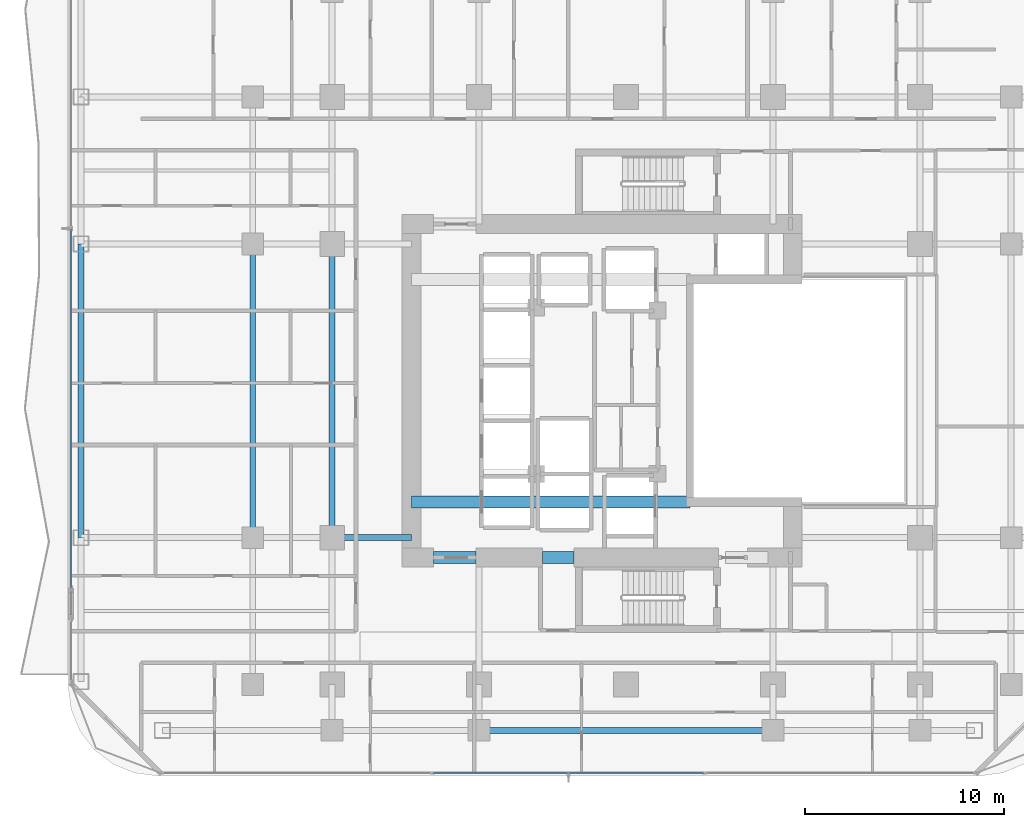
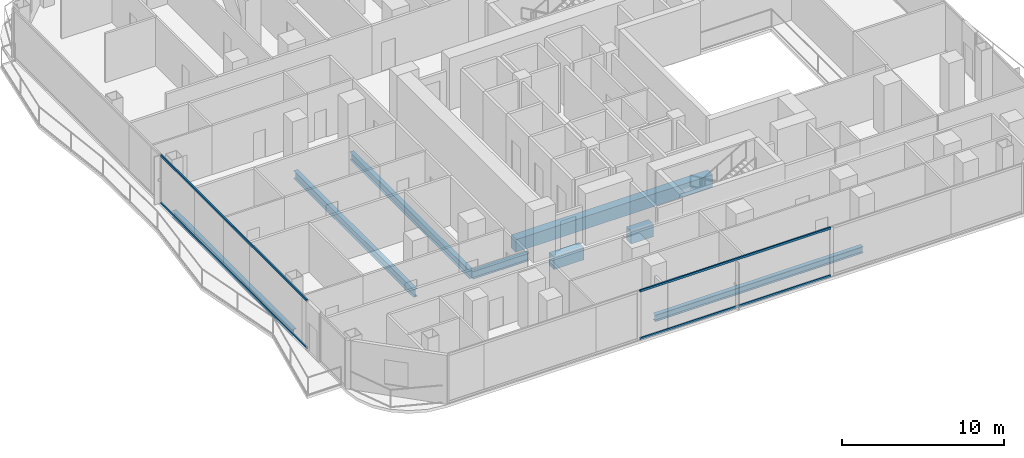
# One storey, part 5 of 28: 8 beams, 4 members, 2 elements without a shape of their own.
"""IFC4 building model written with IfcOpenShell, lengths in metres."""

import ifcopenshell
import ifcopenshell.guid

model = None  # the IFC model being written
_history = None  # IfcOwnerHistory: only IFC2X3 demands one
_inside = {}  # id of a spatial element -> (the spatial element, [elements in it])
_under = {}  # id of a project, library or spatial element -> (it, [spatial elements below it])
_declared = {}  # id of a project -> (the project, [libraries it declares])
_typed = {}  # id of a type object -> (the type object, [elements of that type])
_made_of = {}  # id of a material, layer set ... -> (it, [elements and type objects made of it])


def new_model(schema):
    """Start an empty IFC model of exactly this schema.

    Asked for "IFC4X3", IfcOpenShell would pick the latest addendum, in which some entities
    have other attributes; the version numbers below select the first issue.
    IFC2X3 requires an IfcOwnerHistory on every rooted entity: one is made here for all.
    """
    global model, _history
    if schema == "IFC4X3":
        model = ifcopenshell.file(schema_version=(4, 3, 0, 0))
    else:
        model = ifcopenshell.file(schema=schema)
    _inside.clear()
    _under.clear()
    _declared.clear()
    _typed.clear()
    _made_of.clear()
    _history = None
    if model.schema == "IFC2X3":
        org = make("IfcOrganization", Name="unknown")
        user = make(
            "IfcPersonAndOrganization",
            ThePerson=make("IfcPerson", FamilyName="unknown"),
            TheOrganization=org,
        )
        app = make(
            "IfcApplication",
            ApplicationDeveloper=org,
            Version="unknown",
            ApplicationFullName="unknown",
            ApplicationIdentifier="unknown",
        )
        _history = make(
            "IfcOwnerHistory",
            OwningUser=user,
            OwningApplication=app,
            ChangeAction="ADDED",
            CreationDate=0,
        )
    return model


def make(cls, **values):
    """One entity of the class cls with the attributes given. An attribute that is None is left unset."""
    return model.create_entity(
        cls, **{name: value for name, value in values.items() if value is not None}
    )


def rooted(cls, **values):
    """An entity with a GlobalId (a new one), such as an element, a storey or a relation."""
    return make(cls, GlobalId=ifcopenshell.guid.new(), OwnerHistory=_history, **values)


def si_unit(unit_type, name, prefix=None):
    """IfcSIUnit, for example si_unit("LENGTHUNIT", "METRE", prefix="MILLI")."""
    return make("IfcSIUnit", UnitType=unit_type, Prefix=prefix, Name=name)


def assignment(units):
    """IfcUnitAssignment: the units of a project."""
    return None if units is None else make("IfcUnitAssignment", Units=units)


def point(xyz):
    """IfcCartesianPoint."""
    return None if xyz is None else make("IfcCartesianPoint", Coordinates=xyz)


def direction(xyz):
    """IfcDirection."""
    return None if xyz is None else make("IfcDirection", DirectionRatios=xyz)


def frame(location, z_axis=None, x_axis=None):
    """IfcAxis2Placement3D, a coordinate frame: its origin and axes. An axis left out is left unset."""
    return make(
        "IfcAxis2Placement3D",
        Location=point(location),
        Axis=direction(z_axis),
        RefDirection=direction(x_axis),
    )


def frame_2d(location, x_axis=None):
    """IfcAxis2Placement2D, a coordinate frame in the plane: its origin and x axis."""
    return make(
        "IfcAxis2Placement2D", Location=point(location), RefDirection=direction(x_axis)
    )


def origin():
    """The frame at (0, 0, 0) with its axes left unset."""
    return frame((0.0, 0.0, 0.0))


def origin_2d():
    """The frame at (0, 0) in the plane with its x axis left unset."""
    return frame_2d((0.0, 0.0))


def place(relative_to, where):
    """IfcLocalPlacement: puts the frame where relative to a parent placement (None: the world)."""
    return make(
        "IfcLocalPlacement", PlacementRelTo=relative_to, RelativePlacement=where
    )


def context(
    kind, dimensions, precision=None, world=None, true_north=None, identifier=None
):
    """IfcGeometricRepresentationContext, for example the 3D "Model" context."""
    return make(
        "IfcGeometricRepresentationContext",
        ContextIdentifier=identifier,
        ContextType=kind,
        CoordinateSpaceDimension=dimensions,
        Precision=precision,
        WorldCoordinateSystem=world,
        TrueNorth=true_north,
    )


def subcontext(parent, identifier, kind, view, scale=None):
    """IfcGeometricRepresentationSubContext, for example "Body" below "Model"."""
    return make(
        "IfcGeometricRepresentationSubContext",
        ContextIdentifier=identifier,
        ContextType=kind,
        ParentContext=parent,
        TargetScale=scale,
        TargetView=view,
    )


def project(units=None, contexts=None):
    """IfcProject with its units and contexts."""
    return rooted(
        "IfcProject",
        Name="project",
        RepresentationContexts=contexts,
        UnitsInContext=assignment(units),
    )


def spatial(cls, under=None, at=None, **own):
    """A site, building, storey or space (cls), placed at a placement, below another one or the project."""
    s = rooted(cls, ObjectPlacement=at, **own)
    if under is not None:
        _under.setdefault(under.id(), (under, []))[1].append(s)
    return s


def profile(cls, at=None, kind="AREA", **sizes):
    """A parametric profile (cls). Its sizes go by their IFC names, for example OverallWidth=200.0."""
    return make(cls, ProfileType=kind, Position=at, **sizes)


def rectangle(**sizes):
    """IfcRectangleProfileDef."""
    return profile("IfcRectangleProfileDef", **sizes)


def hollow_rectangle(**sizes):
    """IfcRectangleHollowProfileDef."""
    return profile("IfcRectangleHollowProfileDef", **sizes)


def i_section(**sizes):
    """IfcIShapeProfileDef."""
    return profile("IfcIShapeProfileDef", **sizes)


def extrude(swept, where, along, depth):
    """IfcExtrudedAreaSolid: the profile swept, set in the frame where, extruded along a direction by depth."""
    return make(
        "IfcExtrudedAreaSolid",
        SweptArea=swept,
        Position=where,
        ExtrudedDirection=direction(along),
        Depth=depth,
    )


def shape(context_of_items, identifier, shape_type, items):
    """IfcShapeRepresentation: the items that make up one representation, for example the "Body"."""
    return make(
        "IfcShapeRepresentation",
        ContextOfItems=context_of_items,
        RepresentationIdentifier=identifier,
        RepresentationType=shape_type,
        Items=items,
    )


def material(Name=None, Category=None):
    """IfcMaterial."""
    return make("IfcMaterial", Name=Name, Category=Category)


def layer(
    of_material, thickness, ventilated=None, Name=None, Category=None, Priority=None
):
    """IfcMaterialLayer: one layer of a wall or slab, of a material (None: an air gap)."""
    return make(
        "IfcMaterialLayer",
        Material=of_material,
        LayerThickness=thickness,
        IsVentilated=ventilated,
        Name=Name,
        Category=Category,
        Priority=Priority,
    )


def layer_set(layers, Name=None):
    """IfcMaterialLayerSet."""
    return make("IfcMaterialLayerSet", MaterialLayers=layers, LayerSetName=Name)


def material_profile(
    of_material, cross_section, Name=None, Category=None, Priority=None
):
    """IfcMaterialProfile: a cross section and its material."""
    return make(
        "IfcMaterialProfile",
        Name=Name,
        Material=of_material,
        Profile=cross_section,
        Priority=Priority,
        Category=Category,
    )


def profile_set(profiles, Name=None, composite=None):
    """IfcMaterialProfileSet."""
    return make(
        "IfcMaterialProfileSet",
        Name=Name,
        MaterialProfiles=profiles,
        CompositeProfile=composite,
    )


def made_of(thing, what):
    """Note that an element or type object is made of a material, layer set ...; save() writes the relation."""
    if what is not None:
        _made_of.setdefault(what.id(), (what, []))[1].append(thing)
    return thing


def type_object(cls, material=None, **own):
    """A type object (cls), such as IfcWallType, which elements share."""
    return made_of(rooted(cls, **own), material)


def element(
    cls,
    number,
    at=None,
    inside=None,
    cuts=None,
    type_object=None,
    material=None,
    context=None,
    identifier="Body",
    shape_type=None,
    held_by="IfcProductDefinitionShape",
    body=None,
    shapes=None,
    **own,
):
    """One element of the class cls, such as IfcWall. Its Tag is "e" and its number.

    at: its placement. inside: the storey or other place that contains it. cuts: it is an
    opening in that element (IfcRelVoidsElement). A single representation is given by context,
    identifier, shape_type and body (its items); several are given by shapes. held_by: the class
    of the entity that holds the representations. save() writes the other relations.
    """
    e = rooted(cls, Tag="e%d" % number, ObjectPlacement=at, **own)
    if body is not None:
        shapes = [shape(context, identifier, shape_type, body)]
    if shapes is not None:
        e.Representation = make(held_by, Representations=shapes)
    if inside is not None:
        _inside.setdefault(inside.id(), (inside, []))[1].append(e)
    if cuts is not None:
        rooted(
            "IfcRelVoidsElement", RelatingBuildingElement=cuts, RelatedOpeningElement=e
        )
    if type_object is not None:
        _typed.setdefault(type_object.id(), (type_object, []))[1].append(e)
    return made_of(e, material)


def aggregate(whole, parts):
    """IfcRelAggregates: a whole, such as a stair, and the parts it consists of."""
    return rooted("IfcRelAggregates", RelatingObject=whole, RelatedObjects=parts)


def save(model, path):
    """Write the relations noted so far, then the file.

    IfcRelAggregates (storeys below a building ...), IfcRelContainedInSpatialStructure (elements
    in a storey), IfcRelDefinesByType, IfcRelAssociatesMaterial and IfcRelDeclares: one each for
    every whole, place, type object, material and project.
    """
    for whole, parts in _under.values():
        aggregate(whole, parts)
    for where, things in _inside.values():
        rooted(
            "IfcRelContainedInSpatialStructure",
            RelatedElements=things,
            RelatingStructure=where,
        )
    for kind, things in _typed.values():
        rooted("IfcRelDefinesByType", RelatedObjects=things, RelatingType=kind)
    for what, things in _made_of.values():
        rooted("IfcRelAssociatesMaterial", RelatedObjects=things, RelatingMaterial=what)
    for by, libraries in _declared.values():
        rooted("IfcRelDeclares", RelatingContext=by, RelatedDefinitions=libraries)
    model.write(path)


model = new_model("IFC4")

# Units and contexts
model_context = context("Model", 3, precision=1e-05, world=origin(), true_north=direction((0.0, 1.0)))
body_context = subcontext(model_context, "Body", "Model", "MODEL_VIEW")
ifc_project = project(units=[si_unit("LENGTHUNIT", "METRE"), si_unit("AREAUNIT", "SQUARE_METRE"), si_unit("VOLUMEUNIT", "CUBIC_METRE"), si_unit("PLANEANGLEUNIT", "RADIAN"), si_unit("MASSUNIT", "GRAM", prefix="KILO")], contexts=[model_context])

# Site, building, storey
site_placement = place(None, origin())
site = spatial("IfcSite", under=ifc_project, at=site_placement, CompositionType="ELEMENT")
building_placement = place(site_placement, origin())
building = spatial("IfcBuilding", under=site, at=building_placement, Name="Khorvyn Point Tower", CompositionType="ELEMENT")
storey_placement = place(building_placement, frame((0.0, 0.0, 89.10009765625)))
storey = spatial("IfcBuildingStorey", under=building, at=storey_placement, Name="L22", CompositionType="ELEMENT", Elevation=89.10009765625)

# Curtain wall, members
ifc_material_1 = material(Name="Anodised aluminium 6063-T6 and laminated Low-E glass", Category="aluminium")
ifc_layer = layer(ifc_material_1, 0.18994140625)
ifc_layer_set = layer_set([ifc_layer], Name="Stick-Built Finned Residential Curtain Wall CW-SYS-02")
curtain_wall_type = type_object("IfcCurtainWallType", Name="Stick-Built Finned Residential Curtain Wall CW-SYS-02", PredefinedType="NOTDEFINED", material=ifc_layer_set)
curtain_wall_1_placement = place(storey_placement, origin())
curtain_wall_1 = element("IfcCurtainWall", 1, at=curtain_wall_1_placement, inside=storey, type_object=curtain_wall_type, Name="Curtain Wall", PredefinedType="NOTDEFINED")
ifc_material_2 = material(Name="Anodised aluminium 6063-T6", Category="aluminium")
ifc_material_profile_1 = material_profile(ifc_material_2, hollow_rectangle(XDim=0.10009765625, YDim=0.159912109375, WallThickness=0.00439453125, at=origin_2d()))
ifc_profile_set_1 = profile_set([ifc_material_profile_1], Name="Anodised aluminium 6063-T6 ALU-TRN-100x160")
member_type = type_object("IfcMemberType", Name="Anodised Aluminium 6063-T6 Transom ALU-TRN-100x160", PredefinedType="USERDEFINED", material=ifc_profile_set_1)
member_1_placement = place(storey_placement, frame((3.89990234375, -19.25, 0.0498046875), z_axis=(-1.0, 0.0, 0.0), x_axis=(0.0, -1.0, 0.0)))
member_1 = element("IfcMember", 2, at=member_1_placement, type_object=member_type, Name="Transom", ObjectType="TRANSOM", PredefinedType="USERDEFINED", context=body_context, shape_type="SweptSolid", body=[
    extrude(hollow_rectangle(XDim=0.10009765625, YDim=0.159912109375, WallThickness=0.00439453125, at=origin_2d()), origin(), (0.0, 0.0, 1.0), 13.599853515625),
])
member_2_placement = place(storey_placement, frame((3.89990234375, -19.25, 3.6298828125), z_axis=(-1.0, 0.0, 0.0), x_axis=(0.0, -1.0, 0.0)))
member_2 = element("IfcMember", 3, at=member_2_placement, type_object=member_type, Name="Transom", ObjectType="TRANSOM", PredefinedType="USERDEFINED", context=body_context, shape_type="SweptSolid", body=[
    extrude(hollow_rectangle(XDim=0.10009765625, YDim=0.159912109375, WallThickness=0.00439453125, at=origin_2d()), origin(), (0.0, 0.0, 1.0), 13.599853515625),
])
aggregate(curtain_wall_1, [member_1, member_2])

curtain_wall_2_placement = place(storey_placement, origin())
curtain_wall_2 = element("IfcCurtainWall", 4, at=curtain_wall_2_placement, inside=storey, type_object=curtain_wall_type, Name="Curtain Wall", PredefinedType="NOTDEFINED")
member_3_placement = place(storey_placement, frame((-27.949951171875, -9.89990234375, 0.0498046875), z_axis=(0.0, 1.0, 0.0), x_axis=(-1.0, 0.0, 0.0)))
member_3 = element("IfcMember", 5, at=member_3_placement, type_object=member_type, Name="Transom", ObjectType="TRANSOM", PredefinedType="USERDEFINED", context=body_context, shape_type="SweptSolid", body=[
    extrude(hollow_rectangle(XDim=0.10009765625, YDim=0.159912109375, WallThickness=0.00439453125, at=origin_2d()), origin(), (0.0, 0.0, 1.0), 18.02490234375),
])
member_4_placement = place(storey_placement, frame((-27.949951171875, -9.89990234375, 3.6298828125), z_axis=(0.0, 1.0, 0.0), x_axis=(-1.0, 0.0, 0.0)))
member_4 = element("IfcMember", 6, at=member_4_placement, type_object=member_type, Name="Transom", ObjectType="TRANSOM", PredefinedType="USERDEFINED", context=body_context, shape_type="SweptSolid", body=[
    extrude(hollow_rectangle(XDim=0.10009765625, YDim=0.159912109375, WallThickness=0.00439453125, at=origin_2d()), origin(), (0.0, 0.0, 1.0), 18.02490234375),
])
aggregate(curtain_wall_2, [member_3, member_4])

# Beams
ifc_material_3 = material(Name="Concrete C50/60", Category="concrete")
ifc_material_profile_2 = material_profile(ifc_material_3, rectangle(XDim=0.60009765625, YDim=0.949951171875, at=origin_2d()))
ifc_profile_set_2 = profile_set([ifc_material_profile_2], Name="Concrete C50/60 RC600x950")
beam_type_1 = type_object("IfcBeamType", Name="Concrete C50/60 Beam RC600x950", PredefinedType="BEAM", material=ifc_profile_set_2)
beam_1_placement = place(storey_placement, frame((-10.800048828125, -5.60009765625, -0.695068359375), z_axis=(1.0, 0.0, 0.0), x_axis=(0.0, 1.0, 0.0)))
element("IfcBeam", 7, at=beam_1_placement, inside=storey, type_object=beam_type_1, Name="L22 Core Internal Tie Girder S", PredefinedType="BEAM", context=body_context, shape_type="SweptSolid", body=[
    extrude(rectangle(XDim=0.60009765625, YDim=0.949951171875, at=origin_2d()), origin(), (0.0, 0.0, 1.0), 14.02001953125),
])
beam_2_placement = place(storey_placement, frame((-9.699951171875, -8.39990234375, -0.695068359375), z_axis=(1.0, 0.0, 0.0), x_axis=(0.0, 1.0, 0.0)))
element("IfcBeam", 8, at=beam_2_placement, inside=storey, type_object=beam_type_1, Name="L22 Core Southwest Portal Coupling Beam", PredefinedType="BEAM", context=body_context, shape_type="SweptSolid", body=[
    extrude(rectangle(XDim=0.60009765625, YDim=0.949951171875, at=origin_2d()), origin(), (0.0, 0.0, 1.0), 2.14990234375),
])
beam_3_placement = place(storey_placement, frame((-4.199951171875, -8.39990234375, -0.695068359375), z_axis=(1.0, 0.0, 0.0), x_axis=(0.0, 1.0, 0.0)))
element("IfcBeam", 9, at=beam_3_placement, inside=storey, type_object=beam_type_1, Name="L22 Core Shuttle Portal Coupling Beam", PredefinedType="BEAM", context=body_context, shape_type="SweptSolid", body=[
    extrude(rectangle(XDim=0.60009765625, YDim=0.949951171875, at=origin_2d()), origin(), (0.0, 0.0, 1.0), 1.579833984375),
])
ifc_material_4 = material(Name="Steel S355", Category="steel")
ifc_material_profile_3 = material_profile(ifc_material_4, i_section(OverallWidth=0.300048828125, OverallDepth=0.587890625, WebThickness=0.011962890625, FlangeThickness=0.02001953125, at=origin_2d()))
ifc_profile_set_3 = profile_set([ifc_material_profile_3], Name="Steel S355 H588x300x12x20")
beam_type_2 = type_object("IfcBeamType", Name="Steel S355 Beam H588x300x12x20", PredefinedType="BEAM", material=ifc_profile_set_3)
beam_4_placement = place(storey_placement, frame((-14.800048828125, -7.39990234375, -0.51416015625), z_axis=(1.0, 0.0, 0.0), x_axis=(0.0, 1.0, 0.0)))
element("IfcBeam", 10, at=beam_4_placement, inside=storey, type_object=beam_type_2, Name="Beam", PredefinedType="BEAM", context=body_context, shape_type="SweptSolid", body=[
    extrude(i_section(OverallWidth=0.300048828125, OverallDepth=0.587890625, WebThickness=0.011962890625, FlangeThickness=0.02001953125, at=origin_2d()), origin(), (0.0, 0.0, 1.0), 4.0),
])
for number, where, z_axis, x_axis, name in (
    (11, (-14.800048828125, -7.39990234375, -0.51416015625), (0.0, 1.0, 0.0), (-1.0, 0.0, 0.0), "Beam"),
    (12, (-18.800048828125, -7.39990234375, -0.51416015625), (0.0, 1.0, 0.0), (-1.0, 0.0, 0.0), "Beam"),
):
    element("IfcBeam", number, at=place(storey_placement, frame(where, z_axis=z_axis, x_axis=x_axis)), inside=storey, type_object=beam_type_2, Name=name, PredefinedType="BEAM", context=body_context, shape_type="SweptSolid", body=[
        extrude(i_section(OverallWidth=0.300048828125, OverallDepth=0.587890625, WebThickness=0.011962890625, FlangeThickness=0.02001953125, at=origin_2d()), origin(), (0.0, 0.0, 1.0), 14.7998046875),
    ])
ifc_material_profile_4 = material_profile(ifc_material_4, i_section(OverallWidth=0.300048828125, OverallDepth=0.488037109375, WebThickness=0.010986328125, FlangeThickness=0.01806640625, at=origin_2d()))
ifc_profile_set_4 = profile_set([ifc_material_profile_4], Name="Steel S355 H488x300x11x18")
beam_type_3 = type_object("IfcBeamType", Name="Steel S355 Spandrel H488x300x11x18", PredefinedType="SPANDREL", material=ifc_profile_set_4)
for number, where, z_axis, x_axis, name in (
    (13, (-7.39990234375, -17.10009765625, -0.464111328125), (1.0, 0.0, 0.0), (0.0, 1.0, 0.0), "Beam"),
    (14, (-27.449951171875, -7.39990234375, -0.464111328125), (0.0, 1.0, 0.0), (-1.0, 0.0, 0.0), "Beam"),
):
    element("IfcBeam", number, at=place(storey_placement, frame(where, z_axis=z_axis, x_axis=x_axis)), inside=storey, type_object=beam_type_3, Name=name, PredefinedType="SPANDREL", context=body_context, shape_type="SweptSolid", body=[
        extrude(i_section(OverallWidth=0.300048828125, OverallDepth=0.488037109375, WebThickness=0.010986328125, FlangeThickness=0.01806640625, at=origin_2d()), origin(), (0.0, 0.0, 1.0), 14.7998046875),
    ])

save(model, "model.ifc")
